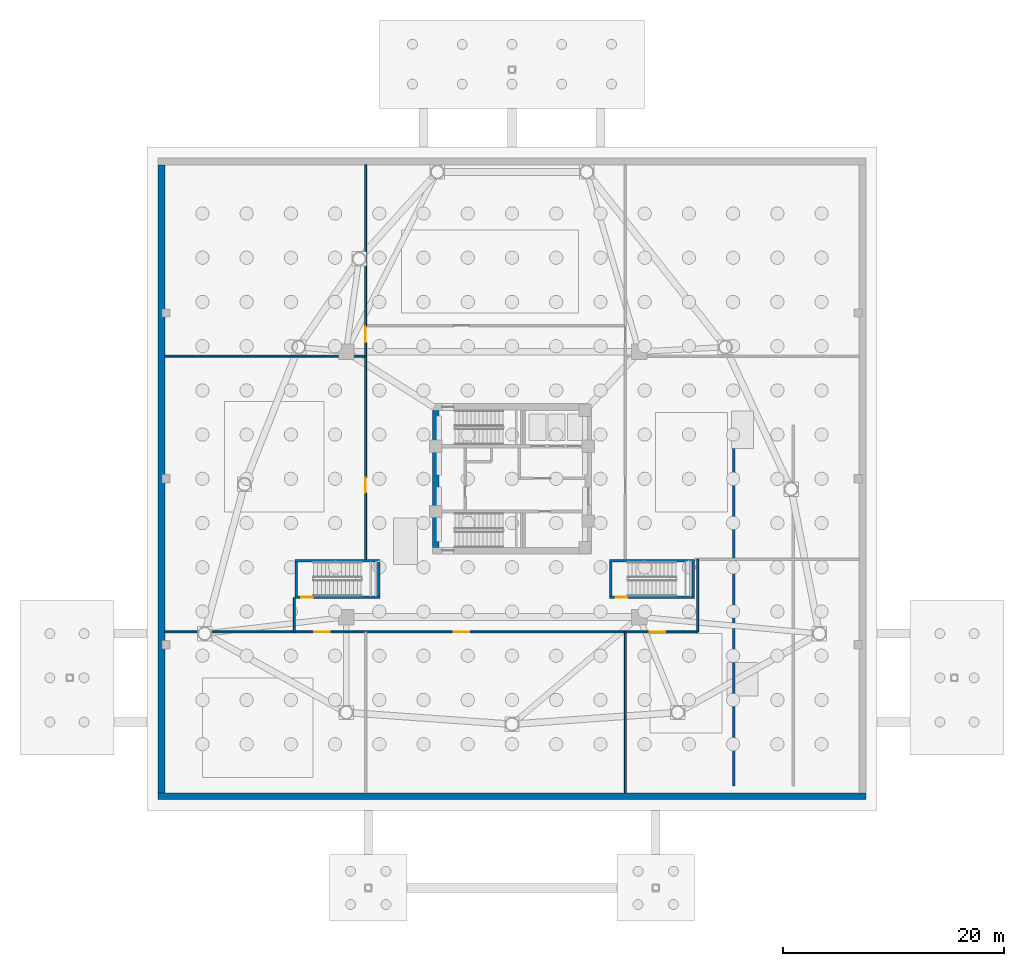
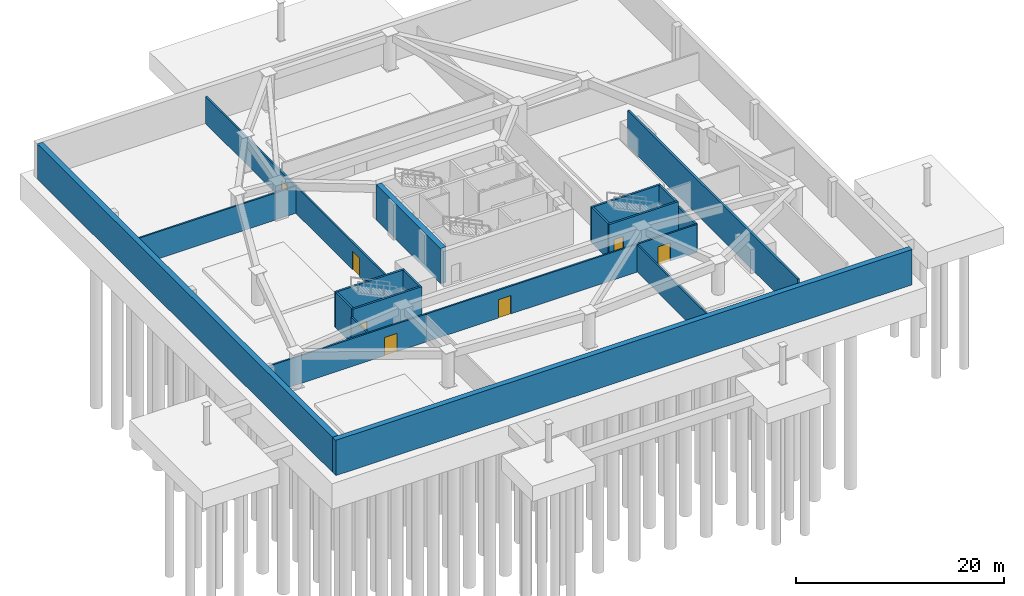
# One storey, part 6 of 11: 21 walls, 7 doors, 7 openings.
"""IFC4 building model written with IfcOpenShell, lengths in metres."""

from ifc_helpers import new_model, si_unit, direction, frame, frame_2d, origin, place, context, subcontext, project, spatial, rectangle, extrude, material, layer, layer_set, type_object, element, fill, save


model = new_model("IFC4")

# Units and contexts
model_context = context("Model", 3, precision=1e-05, world=origin(), true_north=direction((0.0, 1.0)))
body_context = subcontext(model_context, "Body", "Model", "MODEL_VIEW")
ifc_project = project(units=[si_unit("LENGTHUNIT", "METRE"), si_unit("AREAUNIT", "SQUARE_METRE"), si_unit("VOLUMEUNIT", "CUBIC_METRE"), si_unit("PLANEANGLEUNIT", "RADIAN"), si_unit("MASSUNIT", "GRAM", prefix="KILO")], contexts=[model_context])

# Site, building, storey
site_placement = place(None, origin())
site = spatial("IfcSite", under=ifc_project, at=site_placement, CompositionType="ELEMENT")
building_placement = place(site_placement, origin())
building = spatial("IfcBuilding", under=site, at=building_placement, Name="Tavelor Broadcast Tower", CompositionType="ELEMENT")
storey_placement = place(building_placement, frame((0.0, 0.0, -8.699951171875)))
storey = spatial("IfcBuildingStorey", under=building, at=storey_placement, Name="B02", CompositionType="ELEMENT", Elevation=-8.699951171875)

# Walls
ifc_material_1 = material(Name="Concrete C40/50", Category="concrete")
ifc_layer_1 = layer(ifc_material_1, 0.60009765625)
ifc_layer_set_1 = layer_set([ifc_layer_1], Name="Concrete C40/50")
wall_type_1 = type_object("IfcWallType", Name="Basement Retaining Wall 600 mm", PredefinedType="USERDEFINED", material=ifc_layer_set_1)
wall_1_placement = place(storey_placement, frame((18.0, 16.300048828125, 0.0), z_axis=(0.0, 0.0, 1.0), x_axis=(1.0, 0.0, 0.0)))
element("IfcWall", 1, at=wall_1_placement, inside=storey, type_object=wall_type_1, Name="B02 Basement Retaining Wall S 600 mm", ObjectType="RETAINING WALL", PredefinedType="USERDEFINED", context=body_context, shape_type="SweptSolid", body=[
    extrude(rectangle(XDim=64.0, YDim=0.60009765625, at=frame_2d((32.0, 0.0))), origin(), (0.0, 0.0, 1.0), 4.14990234375),
])
wall_2_placement = place(storey_placement, frame((18.300048828125, 16.60009765625, 0.0), z_axis=(0.0, 0.0, 1.0), x_axis=(0.0, 1.0, 0.0)))
element("IfcWall", 2, at=wall_2_placement, inside=storey, type_object=wall_type_1, Name="B02 Basement Retaining Wall W 600 mm", ObjectType="RETAINING WALL", PredefinedType="USERDEFINED", context=body_context, shape_type="SweptSolid", body=[
    extrude(rectangle(XDim=56.7998046875, YDim=0.60009765625, at=frame_2d((28.39990234375, 0.0))), origin(), (0.0, 0.0, 1.0), 4.14990234375),
])
ifc_material_2 = material(Name="Concrete C60/75", Category="concrete")
ifc_layer_2 = layer(ifc_material_2, 0.60009765625)
ifc_layer_set_2 = layer_set([ifc_layer_2], Name="Concrete C60/75")
wall_type_2 = type_object("IfcWallType", Name="Core Shear Wall 600 mm", PredefinedType="SHEAR", material=ifc_layer_set_2)
wall_3_placement = place(storey_placement, frame((43.10009765625, 38.800048828125, 0.0), z_axis=(0.0, 0.0, 1.0), x_axis=(0.0, 1.0, 0.0)))
element("IfcWall", 3, at=wall_3_placement, inside=storey, type_object=wall_type_2, Name="B02 Central Core Shear Wall W", PredefinedType="SHEAR", context=body_context, shape_type="SweptSolid", body=[
    extrude(rectangle(XDim=12.39990234375, YDim=0.60009765625, at=frame_2d((6.199951171875, 0.0))), origin(), (0.0, 0.0, 1.0), 4.14990234375),
])

# Wall, opening, door
ifc_material_3 = material(Name="Calcium Silicate Fire Board 180 mm", Category="gypsum")
ifc_layer_3 = layer(ifc_material_3, 0.179931640625)
ifc_layer_set_3 = layer_set([ifc_layer_3], Name="Calcium Silicate Fire Board 180 mm")
wall_type_3 = type_object("IfcWallType", Name="Fire-Rated Corridor Partition Wall 180 mm", PredefinedType="PARTITIONING", material=ifc_layer_set_3)
wall_4_placement = place(storey_placement, frame((18.60009765625, 31.14990234375, 0.0), z_axis=(0.0, 0.0, 1.0), x_axis=(1.0, 0.0, 0.0)))
wall_4 = element("IfcWall", 4, at=wall_4_placement, inside=storey, type_object=wall_type_3, Name="B02 Chiller Plant North Wall", PredefinedType="PARTITIONING", context=body_context, shape_type="SweptSolid", body=[
    extrude(rectangle(XDim=18.14990234375, YDim=0.179931640625, at=frame_2d((9.074951171875, 0.0))), origin(), (0.0, 0.0, 1.0), 3.27490234375),
])
opening_1_placement = place(wall_4_placement, frame((13.5, 0.0, 0.0)))
opening_1 = element("IfcOpeningElement", 5, at=opening_1_placement, cuts=wall_4, Name="Opening DR41", PredefinedType="OPENING", context=body_context, shape_type="SweptSolid", body=[
    extrude(rectangle(XDim=1.39990234375, YDim=2.14990234375, at=frame_2d((0.699951171875, 1.074951171875))), frame((0.0, 0.10009765625, 0.0), z_axis=(0.0, -1.0, 0.0), x_axis=(1.0, 0.0, 0.0)), (0.0, 0.0, 1.0), 0.199951171875),
])
ifc_material_4 = material(Name="Steel S355", Category="steel")
door_type_1 = type_object("IfcDoorType", Name="Plant Room Double Fire Door 1400x2150", OperationType="NOTDEFINED", PredefinedType="DOOR", material=ifc_material_4)
door_1_placement = place(opening_1_placement, origin())
door_1 = element("IfcDoor", 6, at=door_1_placement, inside=storey, type_object=door_type_1, Name="B02 Central Chiller Plant Fire Door", OperationType="SINGLE_SWING_RIGHT", OverallHeight=2.14990234375, OverallWidth=1.39990234375, PredefinedType="DOOR", context=body_context, shape_type="SweptSolid", body=[
    extrude(rectangle(XDim=1.39990234375, YDim=2.14990234375, at=frame_2d((0.699951171875, 1.074951171875))), frame((0.0, 0.02490234375, 0.0), z_axis=(0.0, -1.0, 0.0), x_axis=(1.0, 0.0, 0.0)), (0.0, 0.0, 1.0), 0.050048828125),
])
fill(opening_1, door_1)

# Wall
wall_5_placement = place(storey_placement, frame((30.320068359375, 31.14990234375, 0.0), z_axis=(0.0, 0.0, 1.0), x_axis=(0.0, 1.0, 0.0)))
element("IfcWall", 7, at=wall_5_placement, inside=storey, type_object=wall_type_3, Name="B02 Stair ST3 Corridor West Cutoff Wall", PredefinedType="PARTITIONING", context=body_context, shape_type="SweptSolid", body=[
    extrude(rectangle(XDim=3.10009765625, YDim=0.179931640625, at=frame_2d((1.550048828125, 0.0))), origin(), (0.0, 0.0, 1.0), 3.27490234375),
])

# Wall, opening, door
wall_6_placement = place(storey_placement, frame((36.75, 37.719970703125, 0.0), z_axis=(0.0, 0.0, 1.0), x_axis=(0.0, 1.0, 0.0)))
wall_6 = element("IfcWall", 8, at=wall_6_placement, inside=storey, type_object=wall_type_3, Name="B02 Sprinkler Plant East Wall", PredefinedType="PARTITIONING", context=body_context, shape_type="SweptSolid", body=[
    extrude(rectangle(XDim=18.380126953125, YDim=0.179931640625, at=frame_2d((9.18994140625, 0.0))), origin(), (0.0, 0.0, 1.0), 3.175048828125),
])
opening_2_placement = place(wall_6_placement, frame((6.0, 0.0, 0.0)))
opening_2 = element("IfcOpeningElement", 9, at=opening_2_placement, cuts=wall_6, Name="Opening DR41", PredefinedType="OPENING", context=body_context, shape_type="SweptSolid", body=[
    extrude(rectangle(XDim=1.39990234375, YDim=2.14990234375, at=frame_2d((0.699951171875, 1.074951171875))), frame((0.0, 0.10009765625, 0.0), z_axis=(0.0, -1.0, 0.0), x_axis=(1.0, 0.0, 0.0)), (0.0, 0.0, 1.0), 0.199951171875),
])
door_2_placement = place(opening_2_placement, origin())
door_2 = element("IfcDoor", 10, at=door_2_placement, inside=storey, type_object=door_type_1, Name="B02 Fire Sprinkler Plant Fire Door", OperationType="SINGLE_SWING_LEFT", OverallHeight=2.14990234375, OverallWidth=1.39990234375, PredefinedType="DOOR", context=body_context, shape_type="SweptSolid", body=[
    extrude(rectangle(XDim=1.39990234375, YDim=2.14990234375, at=frame_2d((0.699951171875, 1.074951171875))), frame((0.0, 0.02490234375, 0.0), z_axis=(0.0, -1.0, 0.0), x_axis=(1.0, 0.0, 0.0)), (0.0, 0.0, 1.0), 0.050048828125),
])
fill(opening_2, door_2)

# Wall
wall_7_placement = place(storey_placement, frame((18.60009765625, 56.10009765625, 0.0), z_axis=(0.0, 0.0, 1.0), x_axis=(1.0, 0.0, 0.0)))
element("IfcWall", 11, at=wall_7_placement, inside=storey, type_object=wall_type_3, Name="B02 West Plant Compartment Wall", PredefinedType="PARTITIONING", context=body_context, shape_type="SweptSolid", body=[
    extrude(rectangle(XDim=18.14990234375, YDim=0.179931640625, at=frame_2d((9.074951171875, 0.0))), origin(), (0.0, 0.0, 1.0), 3.175048828125),
])

# Wall, opening, door
wall_8_placement = place(storey_placement, frame((36.75, 56.10009765625, 0.0), z_axis=(0.0, 0.0, 1.0), x_axis=(0.0, 1.0, 0.0)))
wall_8 = element("IfcWall", 12, at=wall_8_placement, inside=storey, type_object=wall_type_3, Name="B02 Domestic Water Plant East Wall", PredefinedType="PARTITIONING", context=body_context, shape_type="SweptSolid", body=[
    extrude(rectangle(XDim=17.2998046875, YDim=0.179931640625, at=frame_2d((8.64990234375, 0.0))), origin(), (0.0, 0.0, 1.0), 3.175048828125),
])
opening_3_placement = place(wall_8_placement, frame((1.25, 0.0, 0.0)))
opening_3 = element("IfcOpeningElement", 13, at=opening_3_placement, cuts=wall_8, Name="Opening DR41", PredefinedType="OPENING", context=body_context, shape_type="SweptSolid", body=[
    extrude(rectangle(XDim=1.39990234375, YDim=2.14990234375, at=frame_2d((0.699951171875, 1.074951171875))), frame((0.0, 0.10009765625, 0.0), z_axis=(0.0, -1.0, 0.0), x_axis=(1.0, 0.0, 0.0)), (0.0, 0.0, 1.0), 0.199951171875),
])
door_3_placement = place(opening_3_placement, origin())
door_3 = element("IfcDoor", 14, at=door_3_placement, inside=storey, type_object=door_type_1, Name="B02 Domestic Water Plant Fire Door", OperationType="SINGLE_SWING_RIGHT", OverallHeight=2.14990234375, OverallWidth=1.39990234375, PredefinedType="DOOR", context=body_context, shape_type="SweptSolid", body=[
    extrude(rectangle(XDim=1.39990234375, YDim=2.14990234375, at=frame_2d((0.699951171875, 1.074951171875))), frame((0.0, 0.02490234375, 0.0), z_axis=(0.0, -1.0, 0.0), x_axis=(1.0, 0.0, 0.0)), (0.0, 0.0, 1.0), 0.050048828125),
])
fill(opening_3, door_3)

# Wall
wall_9_placement = place(storey_placement, frame((60.25, 16.60009765625, 0.0), z_axis=(0.0, 0.0, 1.0), x_axis=(0.0, 1.0, 0.0)))
element("IfcWall", 15, at=wall_9_placement, inside=storey, type_object=wall_type_3, Name="B02 Substation South-West Wall", PredefinedType="PARTITIONING", context=body_context, shape_type="SweptSolid", body=[
    extrude(rectangle(XDim=14.5498046875, YDim=0.179931640625, at=frame_2d((7.27490234375, 0.0))), origin(), (0.0, 0.0, 1.0), 3.175048828125),
])

# Wall, opening, door
wall_10_placement = place(storey_placement, frame((60.25, 31.14990234375, 0.0), z_axis=(0.0, 0.0, 1.0), x_axis=(1.0, 0.0, 0.0)))
wall_10 = element("IfcWall", 16, at=wall_10_placement, inside=storey, type_object=wall_type_3, Name="B02 Substation Corridor South Wall", PredefinedType="PARTITIONING", context=body_context, shape_type="SweptSolid", body=[
    extrude(rectangle(XDim=6.550048828125, YDim=0.179931640625, at=frame_2d((3.27490234375, 0.0))), origin(), (0.0, 0.0, 1.0), 3.27490234375),
])
opening_4_placement = place(wall_10_placement, frame((2.199951171875, 0.0, 0.0)))
opening_4 = element("IfcOpeningElement", 17, at=opening_4_placement, cuts=wall_10, Name="Opening DR41", PredefinedType="OPENING", context=body_context, shape_type="SweptSolid", body=[
    extrude(rectangle(XDim=1.39990234375, YDim=2.14990234375, at=frame_2d((0.699951171875, 1.074951171875))), frame((0.0, 0.10009765625, 0.0), z_axis=(0.0, -1.0, 0.0), x_axis=(1.0, 0.0, 0.0)), (0.0, 0.0, 1.0), 0.199951171875),
])
door_4_placement = place(opening_4_placement, origin())
door_4 = element("IfcDoor", 18, at=door_4_placement, inside=storey, type_object=door_type_1, Name="B02 High-Voltage Substation Fire Door", OperationType="SINGLE_SWING_LEFT", OverallHeight=2.14990234375, OverallWidth=1.39990234375, PredefinedType="DOOR", context=body_context, shape_type="SweptSolid", body=[
    extrude(rectangle(XDim=1.39990234375, YDim=2.14990234375, at=frame_2d((0.699951171875, 1.074951171875))), frame((0.0, 0.02490234375, 0.0), z_axis=(0.0, -1.0, 0.0), x_axis=(1.0, 0.0, 0.0)), (0.0, 0.0, 1.0), 0.050048828125),
])
fill(opening_4, door_4)

# Wall
wall_11_placement = place(storey_placement, frame((66.800048828125, 31.14990234375, 0.0), z_axis=(0.0, 0.0, 1.0), x_axis=(0.0, 1.0, 0.0)))
element("IfcWall", 19, at=wall_11_placement, inside=storey, type_object=wall_type_3, Name="B02 Stair ST4 Corridor East Cutoff Wall", PredefinedType="PARTITIONING", context=body_context, shape_type="SweptSolid", body=[
    extrude(rectangle(XDim=6.570068359375, YDim=0.179931640625, at=frame_2d((3.28515625, 0.0))), origin(), (0.0, 0.0, 1.0), 3.27490234375),
])

# Wall, opening, door
wall_12_placement = place(storey_placement, frame((36.75, 31.14990234375, 0.0), z_axis=(0.0, 0.0, 1.0), x_axis=(1.0, 0.0, 0.0)))
wall_12 = element("IfcWall", 20, at=wall_12_placement, inside=storey, type_object=wall_type_3, Name="B02 Acoustic Plenum North Wall", PredefinedType="PARTITIONING", context=body_context, shape_type="SweptSolid", body=[
    extrude(rectangle(XDim=23.5, YDim=0.179931640625, at=frame_2d((11.75, 0.0))), origin(), (0.0, 0.0, 1.0), 3.27490234375),
])
opening_5_placement = place(wall_12_placement, frame((8.0, 0.0, 0.0)))
opening_5 = element("IfcOpeningElement", 21, at=opening_5_placement, cuts=wall_12, Name="Opening DR41", PredefinedType="OPENING", context=body_context, shape_type="SweptSolid", body=[
    extrude(rectangle(XDim=1.39990234375, YDim=2.14990234375, at=frame_2d((0.699951171875, 1.074951171875))), frame((0.0, 0.10009765625, 0.0), z_axis=(0.0, -1.0, 0.0), x_axis=(1.0, 0.0, 0.0)), (0.0, 0.0, 1.0), 0.199951171875),
])
door_5_placement = place(opening_5_placement, origin())
door_5 = element("IfcDoor", 22, at=door_5_placement, inside=storey, type_object=door_type_1, Name="B02 Studio Acoustic Plenum Fire Door", OperationType="SINGLE_SWING_RIGHT", OverallHeight=2.14990234375, OverallWidth=1.39990234375, PredefinedType="DOOR", context=body_context, shape_type="SweptSolid", body=[
    extrude(rectangle(XDim=1.39990234375, YDim=2.14990234375, at=frame_2d((0.699951171875, 1.074951171875))), frame((0.0, 0.02490234375, 0.0), z_axis=(0.0, -1.0, 0.0), x_axis=(1.0, 0.0, 0.0)), (0.0, 0.0, 1.0), 0.050048828125),
])
fill(opening_5, door_5)

ifc_layer_4 = layer(ifc_material_1, 0.219970703125)
ifc_layer_set_4 = layer_set([ifc_layer_4], Name="Concrete C40/50")
wall_type_4 = type_object("IfcWallType", Name="Structural Stairwell Shear Wall 220 mm", PredefinedType="SHEAR", material=ifc_layer_set_4)
wall_13_placement = place(storey_placement, frame((30.3798828125, 34.2900390625, 0.0), z_axis=(0.0, 0.0, 1.0), x_axis=(1.0, 0.0, 0.0)))
wall_13 = element("IfcWall", 23, at=wall_13_placement, inside=storey, type_object=wall_type_4, Name="B02 Stair ST3 Structural Shaft Wall S", PredefinedType="SHEAR", context=body_context, shape_type="SweptSolid", body=[
    extrude(rectangle(XDim=7.690185546875, YDim=0.219970703125, at=frame_2d((3.84521484375, 0.0))), origin(), (0.0, 0.0, 1.0), 4.14990234375),
])
opening_6_placement = place(wall_13_placement, frame((0.550048828125, 0.0, 0.0)))
opening_6 = element("IfcOpeningElement", 24, at=opening_6_placement, cuts=wall_13, Name="Opening DR11", PredefinedType="OPENING", context=body_context, shape_type="SweptSolid", body=[
    extrude(rectangle(XDim=1.050048828125, YDim=2.199951171875, at=frame_2d((0.52490234375, 1.10009765625))), frame((0.0, 0.1201171875, 0.0), z_axis=(0.0, -1.0, 0.0), x_axis=(1.0, 0.0, 0.0)), (0.0, 0.0, 1.0), 0.239990234375),
])
door_type_2 = type_object("IfcDoorType", Name="Stair Core Fire Escape Door 1050x2200", OperationType="NOTDEFINED", PredefinedType="DOOR", material=ifc_material_4)
door_6_placement = place(opening_6_placement, origin())
door_6 = element("IfcDoor", 25, at=door_6_placement, inside=storey, type_object=door_type_2, Name="B02 Stair ST3 Protected Fire Door", OperationType="SINGLE_SWING_RIGHT", OverallHeight=2.199951171875, OverallWidth=1.050048828125, PredefinedType="DOOR", context=body_context, shape_type="SweptSolid", body=[
    extrude(rectangle(XDim=1.050048828125, YDim=2.199951171875, at=frame_2d((0.52490234375, 1.10009765625))), frame((0.0, 0.02490234375, 0.0), z_axis=(0.0, -1.0, 0.0), x_axis=(1.0, 0.0, 0.0)), (0.0, 0.0, 1.0), 0.050048828125),
])
fill(opening_6, door_6)

# Walls
wall_14_placement = place(storey_placement, frame((30.3798828125, 37.610107421875, 0.0), z_axis=(0.0, 0.0, 1.0), x_axis=(1.0, 0.0, 0.0)))
element("IfcWall", 26, at=wall_14_placement, inside=storey, type_object=wall_type_4, Name="B02 Stair ST3 Structural Shaft Wall N", PredefinedType="SHEAR", context=body_context, shape_type="SweptSolid", body=[
    extrude(rectangle(XDim=7.690185546875, YDim=0.219970703125, at=frame_2d((3.84521484375, 0.0))), origin(), (0.0, 0.0, 1.0), 4.14990234375),
])
for number, where, z_axis, x_axis, name in (
    (27, (37.9599609375, 34.39990234375, 0.0), (0.0, 0.0, 1.0), (0.0, 1.0, 0.0), "B02 Stair ST3 Structural Shaft Wall E"),
    (28, (30.489990234375, 34.39990234375, 0.0), (0.0, 0.0, 1.0), (0.0, 1.0, 0.0), "B02 Stair ST3 Structural Shaft Wall W"),
):
    element("IfcWall", number, at=place(storey_placement, frame(where, z_axis=z_axis, x_axis=x_axis)), inside=storey, type_object=wall_type_4, Name=name, PredefinedType="SHEAR", context=body_context, shape_type="SweptSolid", body=[
        extrude(rectangle(XDim=3.10009765625, YDim=0.219970703125, at=frame_2d((1.550048828125, 0.0))), origin(), (0.0, 0.0, 1.0), 4.14990234375),
    ])

# Wall, opening, door
wall_15_placement = place(storey_placement, frame((58.830078125, 34.2900390625, 0.0), z_axis=(0.0, 0.0, 1.0), x_axis=(1.0, 0.0, 0.0)))
wall_15 = element("IfcWall", 29, at=wall_15_placement, inside=storey, type_object=wall_type_4, Name="B02 Stair ST4 Structural Shaft Wall S", PredefinedType="SHEAR", context=body_context, shape_type="SweptSolid", body=[
    extrude(rectangle(XDim=7.68994140625, YDim=0.219970703125, at=frame_2d((3.844970703125, 0.0))), origin(), (0.0, 0.0, 1.0), 4.14990234375),
])
opening_7_placement = place(wall_15_placement, frame((0.550048828125, 0.0, 0.0)))
opening_7 = element("IfcOpeningElement", 30, at=opening_7_placement, cuts=wall_15, Name="Opening DR11", PredefinedType="OPENING", context=body_context, shape_type="SweptSolid", body=[
    extrude(rectangle(XDim=1.050048828125, YDim=2.199951171875, at=frame_2d((0.52490234375, 1.10009765625))), frame((0.0, 0.1201171875, 0.0), z_axis=(0.0, -1.0, 0.0), x_axis=(1.0, 0.0, 0.0)), (0.0, 0.0, 1.0), 0.239990234375),
])
door_7_placement = place(opening_7_placement, origin())
door_7 = element("IfcDoor", 31, at=door_7_placement, inside=storey, type_object=door_type_2, Name="B02 Stair ST4 Protected Fire Door", OperationType="SINGLE_SWING_RIGHT", OverallHeight=2.199951171875, OverallWidth=1.050048828125, PredefinedType="DOOR", context=body_context, shape_type="SweptSolid", body=[
    extrude(rectangle(XDim=1.050048828125, YDim=2.199951171875, at=frame_2d((0.52490234375, 1.10009765625))), frame((0.0, 0.02490234375, 0.0), z_axis=(0.0, -1.0, 0.0), x_axis=(1.0, 0.0, 0.0)), (0.0, 0.0, 1.0), 0.050048828125),
])
fill(opening_7, door_7)

# Walls
wall_16_placement = place(storey_placement, frame((58.830078125, 37.610107421875, 0.0), z_axis=(0.0, 0.0, 1.0), x_axis=(1.0, 0.0, 0.0)))
element("IfcWall", 32, at=wall_16_placement, inside=storey, type_object=wall_type_4, Name="B02 Stair ST4 Structural Shaft Wall N", PredefinedType="SHEAR", context=body_context, shape_type="SweptSolid", body=[
    extrude(rectangle(XDim=7.68994140625, YDim=0.219970703125, at=frame_2d((3.844970703125, 0.0))), origin(), (0.0, 0.0, 1.0), 4.14990234375),
])
for number, where, z_axis, x_axis, name in (
    (33, (66.409912109375, 34.39990234375, 0.0), (0.0, 0.0, 1.0), (0.0, 1.0, 0.0), "B02 Stair ST4 Structural Shaft Wall E"),
    (34, (58.93994140625, 34.39990234375, 0.0), (0.0, 0.0, 1.0), (0.0, 1.0, 0.0), "B02 Stair ST4 Structural Shaft Wall W"),
):
    element("IfcWall", number, at=place(storey_placement, frame(where, z_axis=z_axis, x_axis=x_axis)), inside=storey, type_object=wall_type_4, Name=name, PredefinedType="SHEAR", context=body_context, shape_type="SweptSolid", body=[
        extrude(rectangle(XDim=3.10009765625, YDim=0.219970703125, at=frame_2d((1.550048828125, 0.0))), origin(), (0.0, 0.0, 1.0), 4.14990234375),
    ])
ifc_layer_5 = layer(ifc_material_1, 0.239990234375)
ifc_layer_set_5 = layer_set([ifc_layer_5], Name="Concrete C40/50")
wall_type_5 = type_object("IfcWallType", Name="Vehicle Ramp Structural Support Wall 240 mm", PredefinedType="SHEAR", material=ifc_layer_set_5)
wall_17_placement = place(storey_placement, frame((70.06005859375, 17.199951171875, 0.0), z_axis=(0.0, 0.0, 1.0), x_axis=(0.0, 1.0, 0.0)))
element("IfcWall", 35, at=wall_17_placement, inside=storey, type_object=wall_type_5, Name="B02 Vehicle Ramp Structural Support Wall W", PredefinedType="SHEAR", context=body_context, shape_type="SweptSolid", body=[
    extrude(rectangle(XDim=32.679931640625, YDim=0.239990234375, at=frame_2d((16.33984375, 0.0))), origin(), (0.0, 0.0, 1.0), 4.14990234375),
])

save(model, "model.ifc")
